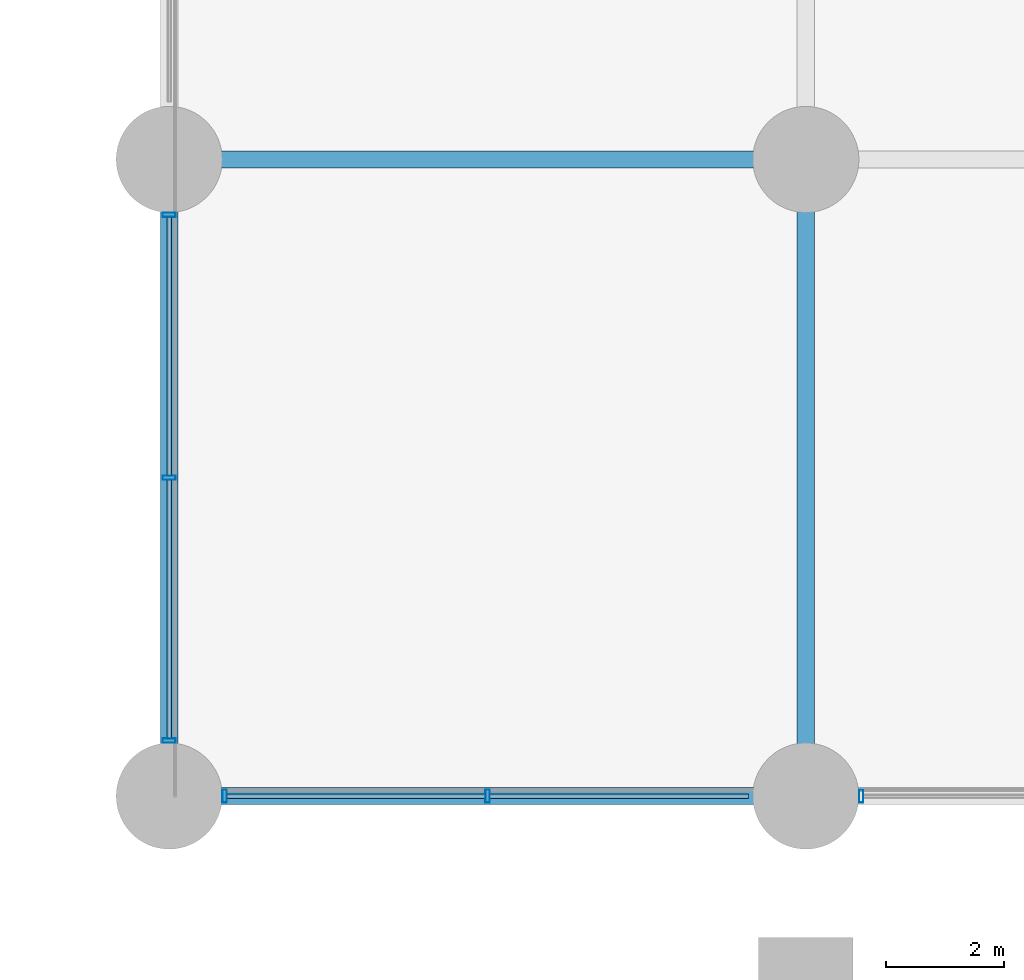
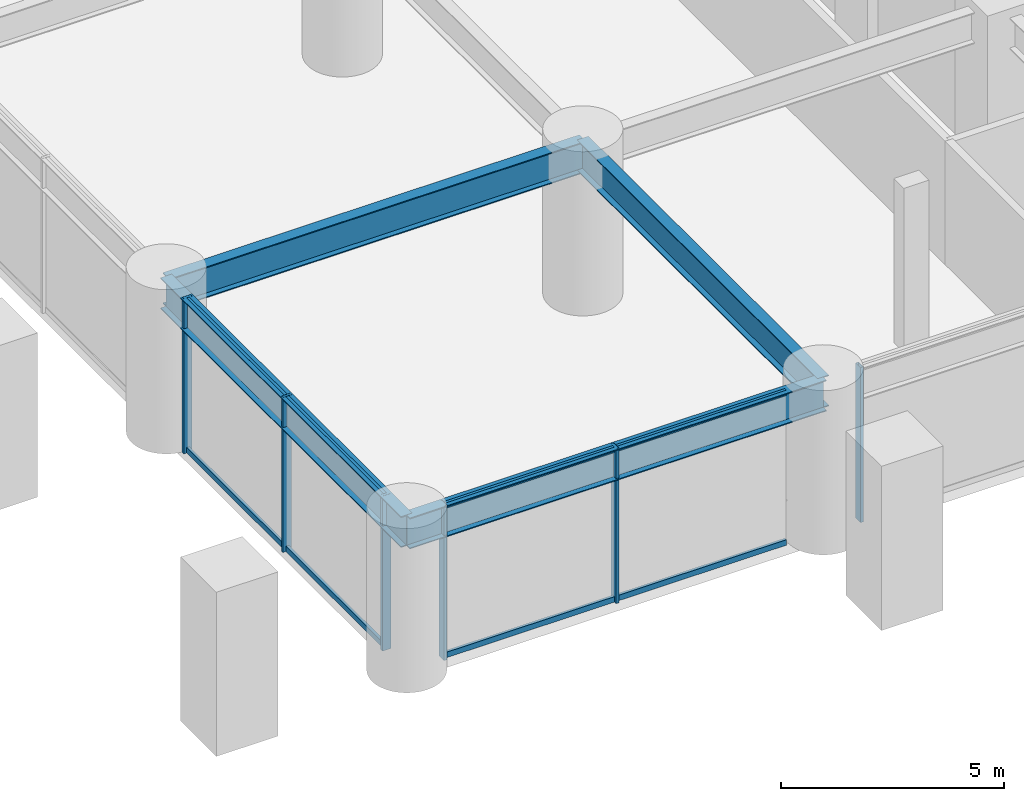
# One storey, part 2 of 31: 14 members, 4 beams, 2 elements without a shape of their own.
"""IFC4 building model written with IfcOpenShell, lengths in metres."""

from ifc_helpers import new_model, si_unit, direction, frame, origin, origin_2d, place, context, subcontext, project, spatial, hollow_rectangle, i_section, extrude, material, layer, layer_set, material_profile, profile_set, type_object, element, aggregate, save


model = new_model("IFC4")

# Units and contexts
model_context = context("Model", 3, precision=1e-05, world=origin(), true_north=direction((0.0, 1.0)))
body_context = subcontext(model_context, "Body", "Model", "MODEL_VIEW")
ifc_project = project(units=[si_unit("LENGTHUNIT", "METRE"), si_unit("AREAUNIT", "SQUARE_METRE"), si_unit("VOLUMEUNIT", "CUBIC_METRE"), si_unit("PLANEANGLEUNIT", "RADIAN"), si_unit("MASSUNIT", "GRAM", prefix="KILO")], contexts=[model_context])

# Site, building, storey
site_placement = place(None, origin())
site = spatial("IfcSite", under=ifc_project, at=site_placement, CompositionType="ELEMENT")
building_placement = place(site_placement, origin())
building = spatial("IfcBuilding", under=site, at=building_placement, Name="Surkhivell Harbour Commons", CompositionType="ELEMENT")
storey_placement = place(building_placement, frame((0.0, 0.0, 4.5)))
storey = spatial("IfcBuildingStorey", under=building, at=storey_placement, Name="L01", CompositionType="ELEMENT", Elevation=4.5)

# Beams
ifc_material_1 = material(Name="Steel S460", Category="steel")
ifc_material_profile_1 = material_profile(ifc_material_1, i_section(OverallWidth=0.2939453125, OverallDepth=0.85107421875, WebThickness=0.01611328125, FlangeThickness=0.02685546875, at=origin_2d()), Name="UB838x292x226")
ifc_profile_set_1 = profile_set([ifc_material_profile_1], Name="Steel S460")
beam_type = type_object("IfcBeamType", Name="BM-SPN-838", PredefinedType="SPANDREL", material=ifc_profile_set_1)
beam_1_placement = place(storey_placement, frame((-32.39990234375, -21.60009765625, 3.824462890625), z_axis=(0.0, 1.0, 0.0), x_axis=(-1.0, 0.0, 0.0)))
element("IfcBeam", 1, at=beam_1_placement, inside=storey, type_object=beam_type, Name="L01 Framing Beam (-32.4,-21.6)", PredefinedType="SPANDREL", context=body_context, shape_type="SweptSolid", body=[
    extrude(i_section(OverallWidth=0.2939453125, OverallDepth=0.85107421875, WebThickness=0.01611328125, FlangeThickness=0.02685546875, at=origin_2d()), origin(), (0.0, 0.0, 1.0), 10.800048828125),
])
for number, where, z_axis, x_axis, name in (
    (2, (-32.39990234375, -21.60009765625, 3.824462890625), (1.0, 0.0, 0.0), (0.0, 1.0, 0.0), "L01 Framing Beam (-32.4,-21.6)"),
    (3, (-32.39990234375, -10.800048828125, 3.824462890625), (1.0, 0.0, 0.0), (0.0, 1.0, 0.0), "L01 Framing Beam (-32.4,-10.8)"),
):
    element("IfcBeam", number, at=place(storey_placement, frame(where, z_axis=z_axis, x_axis=x_axis)), inside=storey, type_object=beam_type, Name=name, PredefinedType="SPANDREL", context=body_context, shape_type="SweptSolid", body=[
        extrude(i_section(OverallWidth=0.2939453125, OverallDepth=0.85107421875, WebThickness=0.01611328125, FlangeThickness=0.02685546875, at=origin_2d()), origin(), (0.0, 0.0, 1.0), 10.7998046875),
    ])
beam_2_placement = place(storey_placement, frame((-21.60009765625, -21.60009765625, 3.824462890625), z_axis=(0.0, 1.0, 0.0), x_axis=(-1.0, 0.0, 0.0)))
element("IfcBeam", 4, at=beam_2_placement, inside=storey, type_object=beam_type, Name="L01 Framing Beam (-21.6,-21.6)", PredefinedType="SPANDREL", context=body_context, shape_type="SweptSolid", body=[
    extrude(i_section(OverallWidth=0.2939453125, OverallDepth=0.85107421875, WebThickness=0.01611328125, FlangeThickness=0.02685546875, at=origin_2d()), origin(), (0.0, 0.0, 1.0), 10.800048828125),
])

# Curtain wall, members
ifc_material_2 = material(Name="Anodised pale-metal aluminium and insulated glazing", Category="aluminium")
ifc_layer = layer(ifc_material_2, 0.239990234375)
ifc_layer_set = layer_set([ifc_layer], Name="Anodised pale-metal aluminium and insulated glazing")
curtain_wall_type = type_object("IfcCurtainWallType", Name="CW-SYS-POD", PredefinedType="NOTDEFINED", material=ifc_layer_set)
curtain_wall_1_placement = place(storey_placement, origin())
curtain_wall_1 = element("IfcCurtainWall", 5, at=curtain_wall_1_placement, inside=storey, type_object=curtain_wall_type, Name="L01 Curtain Wall CW-L01-P01", PredefinedType="NOTDEFINED")
ifc_material_3 = material(Name="Anodised pale-metal aluminium alloy 6063-T6", Category="aluminium")
ifc_material_profile_2 = material_profile(ifc_material_3, hollow_rectangle(XDim=0.074951171875, YDim=0.219970703125, WallThickness=0.00390625, at=origin_2d()), Name="ALU-MULL-75x220")
ifc_profile_set_2 = profile_set([ifc_material_profile_2], Name="Anodised pale-metal aluminium alloy 6063-T6")
member_type_1 = type_object("IfcMemberType", Name="CWM-220", PredefinedType="MULLION", material=ifc_profile_set_2)
member_1_placement = place(storey_placement, frame((-31.46044921875, -21.60009765625, 0.0), z_axis=(0.0, 0.0, 1.0), x_axis=(1.0, 0.0, 0.0)))
member_1 = element("IfcMember", 6, at=member_1_placement, type_object=member_type_1, Name="CW-POD mullion 1", PredefinedType="MULLION", context=body_context, shape_type="SweptSolid", body=[
    extrude(hollow_rectangle(XDim=0.074951171875, YDim=0.219970703125, WallThickness=0.00390625, at=origin_2d()), origin(), (0.0, 0.0, 1.0), 4.25),
])
member_2_placement = place(storey_placement, frame((-27.0, -21.60009765625, 0.0), z_axis=(0.0, 0.0, 1.0), x_axis=(1.0, 0.0, 0.0)))
member_2 = element("IfcMember", 7, at=member_2_placement, type_object=member_type_1, Name="CW-POD mullion 2", PredefinedType="MULLION", context=body_context, shape_type="SweptSolid", body=[
    extrude(hollow_rectangle(XDim=0.074951171875, YDim=0.219970703125, WallThickness=0.00390625, at=origin_2d()), origin(), (0.0, 0.0, 1.0), 4.25),
])
member_3_placement = place(storey_placement, frame((-20.660400390625, -21.60009765625, 0.0), z_axis=(0.0, 0.0, 1.0), x_axis=(1.0, 0.0, 0.0)))
member_3 = element("IfcMember", 8, at=member_3_placement, type_object=member_type_1, Name="CW-POD mullion 3", PredefinedType="MULLION", context=body_context, shape_type="SweptSolid", body=[
    extrude(hollow_rectangle(XDim=0.074951171875, YDim=0.219970703125, WallThickness=0.00390625, at=origin_2d()), origin(), (0.0, 0.0, 1.0), 4.25),
])

curtain_wall_2_placement = place(storey_placement, origin())
curtain_wall_2 = element("IfcCurtainWall", 9, at=curtain_wall_2_placement, inside=storey, type_object=curtain_wall_type, Name="L01 Curtain Wall CW-L01-P04", PredefinedType="NOTDEFINED")
member_4_placement = place(storey_placement, frame((-32.39990234375, -11.739501953125, 0.0), z_axis=(0.0, 0.0, 1.0), x_axis=(0.0, -1.0, 0.0)))
member_4 = element("IfcMember", 10, at=member_4_placement, type_object=member_type_1, Name="CW-POD mullion 7", PredefinedType="MULLION", context=body_context, shape_type="SweptSolid", body=[
    extrude(hollow_rectangle(XDim=0.074951171875, YDim=0.219970703125, WallThickness=0.00390625, at=origin_2d()), origin(), (0.0, 0.0, 1.0), 4.25),
])
member_5_placement = place(storey_placement, frame((-32.39990234375, -16.199951171875, 0.0), z_axis=(0.0, 0.0, 1.0), x_axis=(0.0, -1.0, 0.0)))
member_5 = element("IfcMember", 11, at=member_5_placement, type_object=member_type_1, Name="CW-POD mullion 8", PredefinedType="MULLION", context=body_context, shape_type="SweptSolid", body=[
    extrude(hollow_rectangle(XDim=0.074951171875, YDim=0.219970703125, WallThickness=0.00390625, at=origin_2d()), origin(), (0.0, 0.0, 1.0), 4.25),
])
member_6_placement = place(storey_placement, frame((-32.39990234375, -20.660400390625, 0.0), z_axis=(0.0, 0.0, 1.0), x_axis=(0.0, -1.0, 0.0)))
member_6 = element("IfcMember", 12, at=member_6_placement, type_object=member_type_1, Name="CW-POD mullion 9", PredefinedType="MULLION", context=body_context, shape_type="SweptSolid", body=[
    extrude(hollow_rectangle(XDim=0.074951171875, YDim=0.219970703125, WallThickness=0.00390625, at=origin_2d()), origin(), (0.0, 0.0, 1.0), 4.25),
])

# Member
ifc_material_profile_3 = material_profile(ifc_material_3, hollow_rectangle(XDim=0.074951171875, YDim=0.14990234375, WallThickness=0.00341796875, at=origin_2d()), Name="ALU-TRAN-75x150")
ifc_profile_set_3 = profile_set([ifc_material_profile_3], Name="Anodised pale-metal aluminium alloy 6063-T6")
member_type_2 = type_object("IfcMemberType", Name="CWT-150", PredefinedType="USERDEFINED", material=ifc_profile_set_3)
member_7_placement = place(storey_placement, frame((-31.423095703125, -21.60009765625, 0.074951171875), z_axis=(1.0, 0.0, 0.0), x_axis=(0.0, 1.0, 0.0)))
member_7 = element("IfcMember", 13, at=member_7_placement, type_object=member_type_2, Name="CW-POD transom 1.1", ObjectType="TRANSOM", PredefinedType="USERDEFINED", context=body_context, shape_type="SweptSolid", body=[
    extrude(hollow_rectangle(XDim=0.074951171875, YDim=0.14990234375, WallThickness=0.00341796875, at=origin_2d()), origin(), (0.0, 0.0, 1.0), 4.385498046875),
])

member_8_placement = place(storey_placement, frame((-31.423095703125, -21.60009765625, 4.175048828125), z_axis=(1.0, 0.0, 0.0), x_axis=(0.0, 1.0, 0.0)))
member_8 = element("IfcMember", 14, at=member_8_placement, type_object=member_type_2, Name="CW-POD transom 1.2", ObjectType="TRANSOM", PredefinedType="USERDEFINED", context=body_context, shape_type="SweptSolid", body=[
    extrude(hollow_rectangle(XDim=0.074951171875, YDim=0.14990234375, WallThickness=0.00341796875, at=origin_2d()), origin(), (0.0, 0.0, 1.0), 4.385498046875),
])

member_9_placement = place(storey_placement, frame((-26.96240234375, -21.60009765625, 0.074951171875), z_axis=(1.0, 0.0, 0.0), x_axis=(0.0, 1.0, 0.0)))
member_9 = element("IfcMember", 15, at=member_9_placement, type_object=member_type_2, Name="CW-POD transom 2.1", ObjectType="TRANSOM", PredefinedType="USERDEFINED", context=body_context, shape_type="SweptSolid", body=[
    extrude(hollow_rectangle(XDim=0.074951171875, YDim=0.14990234375, WallThickness=0.00341796875, at=origin_2d()), origin(), (0.0, 0.0, 1.0), 4.385498046875),
])

member_10_placement = place(storey_placement, frame((-26.96240234375, -21.60009765625, 4.175048828125), z_axis=(1.0, 0.0, 0.0), x_axis=(0.0, 1.0, 0.0)))
member_10 = element("IfcMember", 16, at=member_10_placement, type_object=member_type_2, Name="CW-POD transom 2.2", ObjectType="TRANSOM", PredefinedType="USERDEFINED", context=body_context, shape_type="SweptSolid", body=[
    extrude(hollow_rectangle(XDim=0.074951171875, YDim=0.14990234375, WallThickness=0.00341796875, at=origin_2d()), origin(), (0.0, 0.0, 1.0), 4.385498046875),
])

aggregate(curtain_wall_1, [member_1, member_2, member_7, member_8, member_9, member_10, member_3])

member_11_placement = place(storey_placement, frame((-32.39990234375, -11.777099609375, 0.074951171875), z_axis=(0.0, -1.0, 0.0), x_axis=(1.0, 0.0, 0.0)))
member_11 = element("IfcMember", 17, at=member_11_placement, type_object=member_type_2, Name="CW-POD transom 7.1", ObjectType="TRANSOM", PredefinedType="USERDEFINED", context=body_context, shape_type="SweptSolid", body=[
    extrude(hollow_rectangle(XDim=0.074951171875, YDim=0.14990234375, WallThickness=0.00341796875, at=origin_2d()), origin(), (0.0, 0.0, 1.0), 4.385498046875),
])

member_12_placement = place(storey_placement, frame((-32.39990234375, -11.777099609375, 4.175048828125), z_axis=(0.0, -1.0, 0.0), x_axis=(1.0, 0.0, 0.0)))
member_12 = element("IfcMember", 18, at=member_12_placement, type_object=member_type_2, Name="CW-POD transom 7.2", ObjectType="TRANSOM", PredefinedType="USERDEFINED", context=body_context, shape_type="SweptSolid", body=[
    extrude(hollow_rectangle(XDim=0.074951171875, YDim=0.14990234375, WallThickness=0.00341796875, at=origin_2d()), origin(), (0.0, 0.0, 1.0), 4.385498046875),
])

member_13_placement = place(storey_placement, frame((-32.39990234375, -16.237548828125, 0.074951171875), z_axis=(0.0, -1.0, 0.0), x_axis=(1.0, 0.0, 0.0)))
member_13 = element("IfcMember", 19, at=member_13_placement, type_object=member_type_2, Name="CW-POD transom 8.1", ObjectType="TRANSOM", PredefinedType="USERDEFINED", context=body_context, shape_type="SweptSolid", body=[
    extrude(hollow_rectangle(XDim=0.074951171875, YDim=0.14990234375, WallThickness=0.00341796875, at=origin_2d()), origin(), (0.0, 0.0, 1.0), 4.385498046875),
])

member_14_placement = place(storey_placement, frame((-32.39990234375, -16.237548828125, 4.175048828125), z_axis=(0.0, -1.0, 0.0), x_axis=(1.0, 0.0, 0.0)))
member_14 = element("IfcMember", 20, at=member_14_placement, type_object=member_type_2, Name="CW-POD transom 8.2", ObjectType="TRANSOM", PredefinedType="USERDEFINED", context=body_context, shape_type="SweptSolid", body=[
    extrude(hollow_rectangle(XDim=0.074951171875, YDim=0.14990234375, WallThickness=0.00341796875, at=origin_2d()), origin(), (0.0, 0.0, 1.0), 4.385498046875),
])

aggregate(curtain_wall_2, [member_4, member_5, member_6, member_11, member_12, member_13, member_14])

save(model, "model.ifc")
